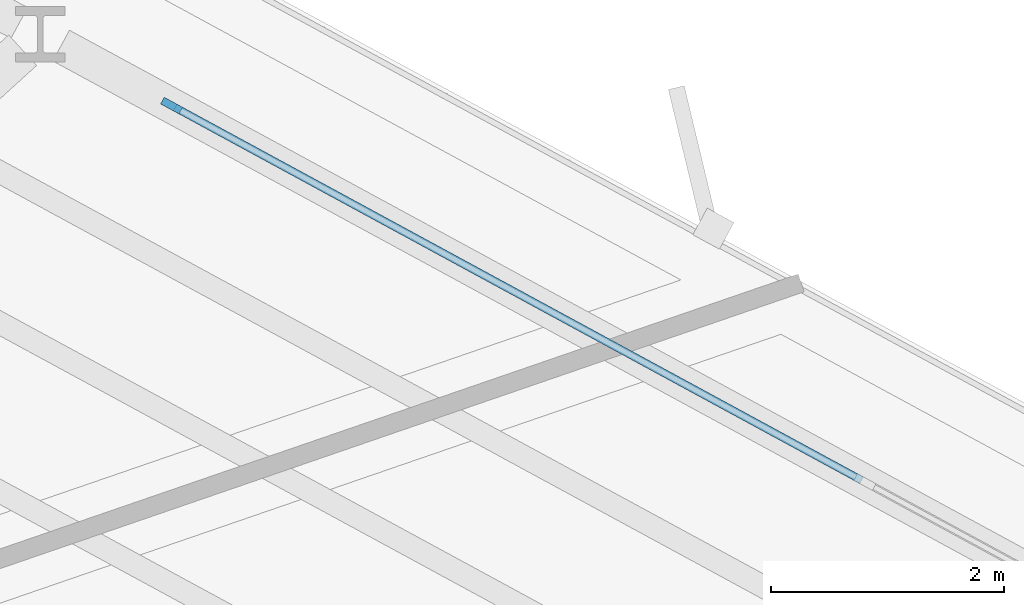
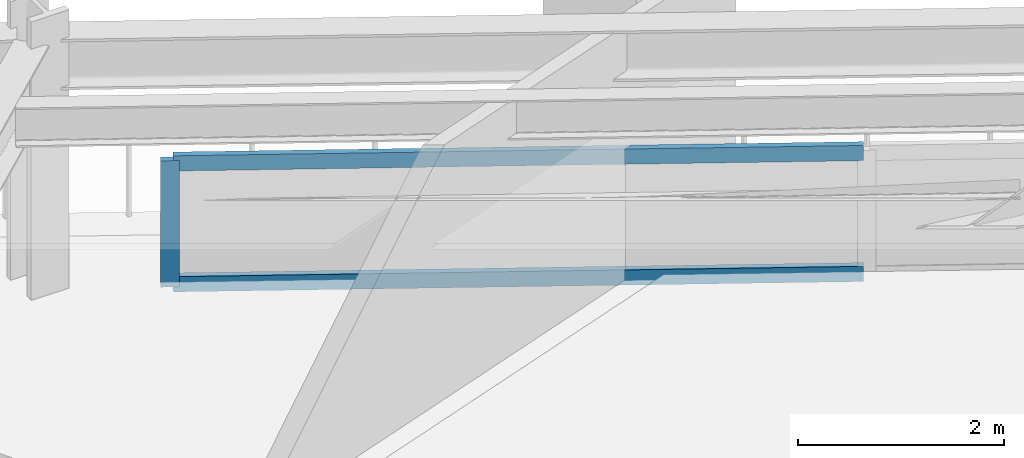
# One storey, part 6 of 14: 3 members, 1 element without a shape of its own.
"""IFC4 building model written with IfcOpenShell, lengths in metres."""

import ifcopenshell
import ifcopenshell.guid

model = None  # the IFC model being written
_history = None  # IfcOwnerHistory: only IFC2X3 demands one
_inside = {}  # id of a spatial element -> (the spatial element, [elements in it])
_under = {}  # id of a project, library or spatial element -> (it, [spatial elements below it])
_declared = {}  # id of a project -> (the project, [libraries it declares])
_typed = {}  # id of a type object -> (the type object, [elements of that type])
_made_of = {}  # id of a material, layer set ... -> (it, [elements and type objects made of it])


def new_model(schema):
    """Start an empty IFC model of exactly this schema.

    Asked for "IFC4X3", IfcOpenShell would pick the latest addendum, in which some entities
    have other attributes; the version numbers below select the first issue.
    IFC2X3 requires an IfcOwnerHistory on every rooted entity: one is made here for all.
    """
    global model, _history
    if schema == "IFC4X3":
        model = ifcopenshell.file(schema_version=(4, 3, 0, 0))
    else:
        model = ifcopenshell.file(schema=schema)
    _inside.clear()
    _under.clear()
    _declared.clear()
    _typed.clear()
    _made_of.clear()
    _history = None
    if model.schema == "IFC2X3":
        org = make("IfcOrganization", Name="unknown")
        user = make(
            "IfcPersonAndOrganization",
            ThePerson=make("IfcPerson", FamilyName="unknown"),
            TheOrganization=org,
        )
        app = make(
            "IfcApplication",
            ApplicationDeveloper=org,
            Version="unknown",
            ApplicationFullName="unknown",
            ApplicationIdentifier="unknown",
        )
        _history = make(
            "IfcOwnerHistory",
            OwningUser=user,
            OwningApplication=app,
            ChangeAction="ADDED",
            CreationDate=0,
        )
    return model


def make(cls, **values):
    """One entity of the class cls with the attributes given. An attribute that is None is left unset."""
    return model.create_entity(
        cls, **{name: value for name, value in values.items() if value is not None}
    )


def rooted(cls, **values):
    """An entity with a GlobalId (a new one), such as an element, a storey or a relation."""
    return make(cls, GlobalId=ifcopenshell.guid.new(), OwnerHistory=_history, **values)


def si_unit(unit_type, name, prefix=None):
    """IfcSIUnit, for example si_unit("LENGTHUNIT", "METRE", prefix="MILLI")."""
    return make("IfcSIUnit", UnitType=unit_type, Prefix=prefix, Name=name)


def assignment(units):
    """IfcUnitAssignment: the units of a project."""
    return None if units is None else make("IfcUnitAssignment", Units=units)


def point(xyz):
    """IfcCartesianPoint."""
    return None if xyz is None else make("IfcCartesianPoint", Coordinates=xyz)


def direction(xyz):
    """IfcDirection."""
    return None if xyz is None else make("IfcDirection", DirectionRatios=xyz)


def frame(location, z_axis=None, x_axis=None):
    """IfcAxis2Placement3D, a coordinate frame: its origin and axes. An axis left out is left unset."""
    return make(
        "IfcAxis2Placement3D",
        Location=point(location),
        Axis=direction(z_axis),
        RefDirection=direction(x_axis),
    )


def frame_2d(location, x_axis=None):
    """IfcAxis2Placement2D, a coordinate frame in the plane: its origin and x axis."""
    return make(
        "IfcAxis2Placement2D", Location=point(location), RefDirection=direction(x_axis)
    )


def origin():
    """The frame at (0, 0, 0) with its axes left unset."""
    return frame((0.0, 0.0, 0.0))


def origin_2d():
    """The frame at (0, 0) in the plane with its x axis left unset."""
    return frame_2d((0.0, 0.0))


def place(relative_to, where):
    """IfcLocalPlacement: puts the frame where relative to a parent placement (None: the world)."""
    return make(
        "IfcLocalPlacement", PlacementRelTo=relative_to, RelativePlacement=where
    )


def context(
    kind, dimensions, precision=None, world=None, true_north=None, identifier=None
):
    """IfcGeometricRepresentationContext, for example the 3D "Model" context."""
    return make(
        "IfcGeometricRepresentationContext",
        ContextIdentifier=identifier,
        ContextType=kind,
        CoordinateSpaceDimension=dimensions,
        Precision=precision,
        WorldCoordinateSystem=world,
        TrueNorth=true_north,
    )


def subcontext(parent, identifier, kind, view, scale=None):
    """IfcGeometricRepresentationSubContext, for example "Body" below "Model"."""
    return make(
        "IfcGeometricRepresentationSubContext",
        ContextIdentifier=identifier,
        ContextType=kind,
        ParentContext=parent,
        TargetScale=scale,
        TargetView=view,
    )


def project(units=None, contexts=None):
    """IfcProject with its units and contexts."""
    return rooted(
        "IfcProject",
        Name="project",
        RepresentationContexts=contexts,
        UnitsInContext=assignment(units),
    )


def spatial(cls, under=None, at=None, **own):
    """A site, building, storey or space (cls), placed at a placement, below another one or the project."""
    s = rooted(cls, ObjectPlacement=at, **own)
    if under is not None:
        _under.setdefault(under.id(), (under, []))[1].append(s)
    return s


def profile(cls, at=None, kind="AREA", **sizes):
    """A parametric profile (cls). Its sizes go by their IFC names, for example OverallWidth=200.0."""
    return make(cls, ProfileType=kind, Position=at, **sizes)


def rectangle(**sizes):
    """IfcRectangleProfileDef."""
    return profile("IfcRectangleProfileDef", **sizes)


def extrude(swept, where, along, depth):
    """IfcExtrudedAreaSolid: the profile swept, set in the frame where, extruded along a direction by depth."""
    return make(
        "IfcExtrudedAreaSolid",
        SweptArea=swept,
        Position=where,
        ExtrudedDirection=direction(along),
        Depth=depth,
    )


def shape(context_of_items, identifier, shape_type, items):
    """IfcShapeRepresentation: the items that make up one representation, for example the "Body"."""
    return make(
        "IfcShapeRepresentation",
        ContextOfItems=context_of_items,
        RepresentationIdentifier=identifier,
        RepresentationType=shape_type,
        Items=items,
    )


def material(Name=None, Category=None):
    """IfcMaterial."""
    return make("IfcMaterial", Name=Name, Category=Category)


def layer(
    of_material, thickness, ventilated=None, Name=None, Category=None, Priority=None
):
    """IfcMaterialLayer: one layer of a wall or slab, of a material (None: an air gap)."""
    return make(
        "IfcMaterialLayer",
        Material=of_material,
        LayerThickness=thickness,
        IsVentilated=ventilated,
        Name=Name,
        Category=Category,
        Priority=Priority,
    )


def layer_set(layers, Name=None):
    """IfcMaterialLayerSet."""
    return make("IfcMaterialLayerSet", MaterialLayers=layers, LayerSetName=Name)


def material_profile(
    of_material, cross_section, Name=None, Category=None, Priority=None
):
    """IfcMaterialProfile: a cross section and its material."""
    return make(
        "IfcMaterialProfile",
        Name=Name,
        Material=of_material,
        Profile=cross_section,
        Priority=Priority,
        Category=Category,
    )


def profile_set(profiles, Name=None, composite=None):
    """IfcMaterialProfileSet."""
    return make(
        "IfcMaterialProfileSet",
        Name=Name,
        MaterialProfiles=profiles,
        CompositeProfile=composite,
    )


def made_of(thing, what):
    """Note that an element or type object is made of a material, layer set ...; save() writes the relation."""
    if what is not None:
        _made_of.setdefault(what.id(), (what, []))[1].append(thing)
    return thing


def type_object(cls, material=None, **own):
    """A type object (cls), such as IfcWallType, which elements share."""
    return made_of(rooted(cls, **own), material)


def element(
    cls,
    number,
    at=None,
    inside=None,
    cuts=None,
    type_object=None,
    material=None,
    context=None,
    identifier="Body",
    shape_type=None,
    held_by="IfcProductDefinitionShape",
    body=None,
    shapes=None,
    **own,
):
    """One element of the class cls, such as IfcWall. Its Tag is "e" and its number.

    at: its placement. inside: the storey or other place that contains it. cuts: it is an
    opening in that element (IfcRelVoidsElement). A single representation is given by context,
    identifier, shape_type and body (its items); several are given by shapes. held_by: the class
    of the entity that holds the representations. save() writes the other relations.
    """
    e = rooted(cls, Tag="e%d" % number, ObjectPlacement=at, **own)
    if body is not None:
        shapes = [shape(context, identifier, shape_type, body)]
    if shapes is not None:
        e.Representation = make(held_by, Representations=shapes)
    if inside is not None:
        _inside.setdefault(inside.id(), (inside, []))[1].append(e)
    if cuts is not None:
        rooted(
            "IfcRelVoidsElement", RelatingBuildingElement=cuts, RelatedOpeningElement=e
        )
    if type_object is not None:
        _typed.setdefault(type_object.id(), (type_object, []))[1].append(e)
    return made_of(e, material)


def aggregate(whole, parts):
    """IfcRelAggregates: a whole, such as a stair, and the parts it consists of."""
    return rooted("IfcRelAggregates", RelatingObject=whole, RelatedObjects=parts)


def save(model, path):
    """Write the relations noted so far, then the file.

    IfcRelAggregates (storeys below a building ...), IfcRelContainedInSpatialStructure (elements
    in a storey), IfcRelDefinesByType, IfcRelAssociatesMaterial and IfcRelDeclares: one each for
    every whole, place, type object, material and project.
    """
    for whole, parts in _under.values():
        aggregate(whole, parts)
    for where, things in _inside.values():
        rooted(
            "IfcRelContainedInSpatialStructure",
            RelatedElements=things,
            RelatingStructure=where,
        )
    for kind, things in _typed.values():
        rooted("IfcRelDefinesByType", RelatedObjects=things, RelatingType=kind)
    for what, things in _made_of.values():
        rooted("IfcRelAssociatesMaterial", RelatedObjects=things, RelatingMaterial=what)
    for by, libraries in _declared.values():
        rooted("IfcRelDeclares", RelatingContext=by, RelatedDefinitions=libraries)
    model.write(path)


model = new_model("IFC4")

# Units and contexts
model_context = context("Model", 3, precision=1e-05, world=origin(), true_north=direction((0.0, 1.0)))
body_context = subcontext(model_context, "Body", "Model", "MODEL_VIEW")
ifc_project = project(units=[si_unit("LENGTHUNIT", "METRE"), si_unit("AREAUNIT", "SQUARE_METRE"), si_unit("VOLUMEUNIT", "CUBIC_METRE"), si_unit("PLANEANGLEUNIT", "RADIAN"), si_unit("MASSUNIT", "GRAM", prefix="KILO")], contexts=[model_context])

# Site, building, storey
site_placement = place(None, origin())
site = spatial("IfcSite", under=ifc_project, at=site_placement, CompositionType="ELEMENT")
building_placement = place(site_placement, origin())
building = spatial("IfcBuilding", under=site, at=building_placement, Name="Rocaltana Carrier Exchange", CompositionType="ELEMENT")
storey_placement = place(building_placement, frame((0.0, 0.0, 42.39990234375)))
storey = spatial("IfcBuildingStorey", under=building, at=storey_placement, Name="L13", CompositionType="ELEMENT", Elevation=42.39990234375)

# Curtain wall, members
ifc_material_1 = material(Name="Aluminium 6063-T6", Category="aluminium")
ifc_layer = layer(ifc_material_1, 0.179931640625)
ifc_layer_set = layer_set([ifc_layer], Name="Aluminium 6063-T6")
curtain_wall_type = type_object("IfcCurtainWallType", Name="Sandstone Spandrel Unitised Curtain Wall CW-01", PredefinedType="NOTDEFINED", material=ifc_layer_set)
curtain_wall_placement = place(storey_placement, origin())
curtain_wall = element("IfcCurtainWall", 1, at=curtain_wall_placement, inside=storey, type_object=curtain_wall_type, Name="L13 CW-01 Run CW-L13-F1S1", PredefinedType="NOTDEFINED")
ifc_material_2 = material(Name="Aluminium 6063-T6", Category="aluminium")
ifc_material_profile_1 = material_profile(ifc_material_2, rectangle(XDim=0.06494140625, YDim=0.179931640625, at=origin_2d()), Name="AL-65X180")
ifc_profile_set_1 = profile_set([ifc_material_profile_1], Name="Aluminium 6063-T6")
member_type_1 = type_object("IfcMemberType", Name="CW-01 Mullion AL-65X180", PredefinedType="MULLION", material=ifc_profile_set_1)
member_1_placement = place(storey_placement, frame((15.31884765625, 8.6552734375, 0.0), z_axis=(0.0, 0.0, 1.0), x_axis=(-0.477161473226, -0.878815639636, 0.0)))
member_1 = element("IfcMember", 2, at=member_1_placement, type_object=member_type_1, Name="CW-01 mullion 3", PredefinedType="MULLION", context=body_context, shape_type="SweptSolid", body=[
    extrude(rectangle(XDim=0.06494140625, YDim=0.179931640625, at=origin_2d()), origin(), (0.0, 0.0, 1.0), 1.498046875),
])
ifc_material_3 = material(Name="Aluminium 6063-T6", Category="aluminium")
ifc_material_profile_2 = material_profile(ifc_material_3, rectangle(XDim=0.06494140625, YDim=0.179931640625, at=origin_2d()), Name="AL-65X180")
ifc_profile_set_2 = profile_set([ifc_material_profile_2], Name="Aluminium 6063-T6")
member_type_2 = type_object("IfcMemberType", Name="CW-01 Transom AL-65X180", PredefinedType="USERDEFINED", material=ifc_profile_set_2)
member_2_placement = place(storey_placement, frame((21.237548828125, 5.44140625, 0.03271484375), z_axis=(-0.87880717191, 0.477177068392, 0.0), x_axis=(-0.477177068392, -0.87880717191, 0.0)))
member_2 = element("IfcMember", 3, at=member_2_placement, type_object=member_type_2, Name="CW-01 transom 2.1", ObjectType="TRANSOM", PredefinedType="USERDEFINED", context=body_context, shape_type="SweptSolid", body=[
    extrude(rectangle(XDim=0.06494140625, YDim=0.179931640625, at=origin_2d()), origin(), (0.0, 0.0, 1.0), 6.702392578125),
])
member_3_placement = place(storey_placement, frame((21.237548828125, 5.44140625, 1.465576171875), z_axis=(-0.87880717191, 0.477177068392, 0.0), x_axis=(-0.477177068392, -0.87880717191, 0.0)))
member_3 = element("IfcMember", 4, at=member_3_placement, type_object=member_type_2, Name="CW-01 transom 2.2", ObjectType="TRANSOM", PredefinedType="USERDEFINED", context=body_context, shape_type="SweptSolid", body=[
    extrude(rectangle(XDim=0.06494140625, YDim=0.179931640625, at=origin_2d()), origin(), (0.0, 0.0, 1.0), 6.702392578125),
])
aggregate(curtain_wall, [member_1, member_2, member_3])

save(model, "model.ifc")
